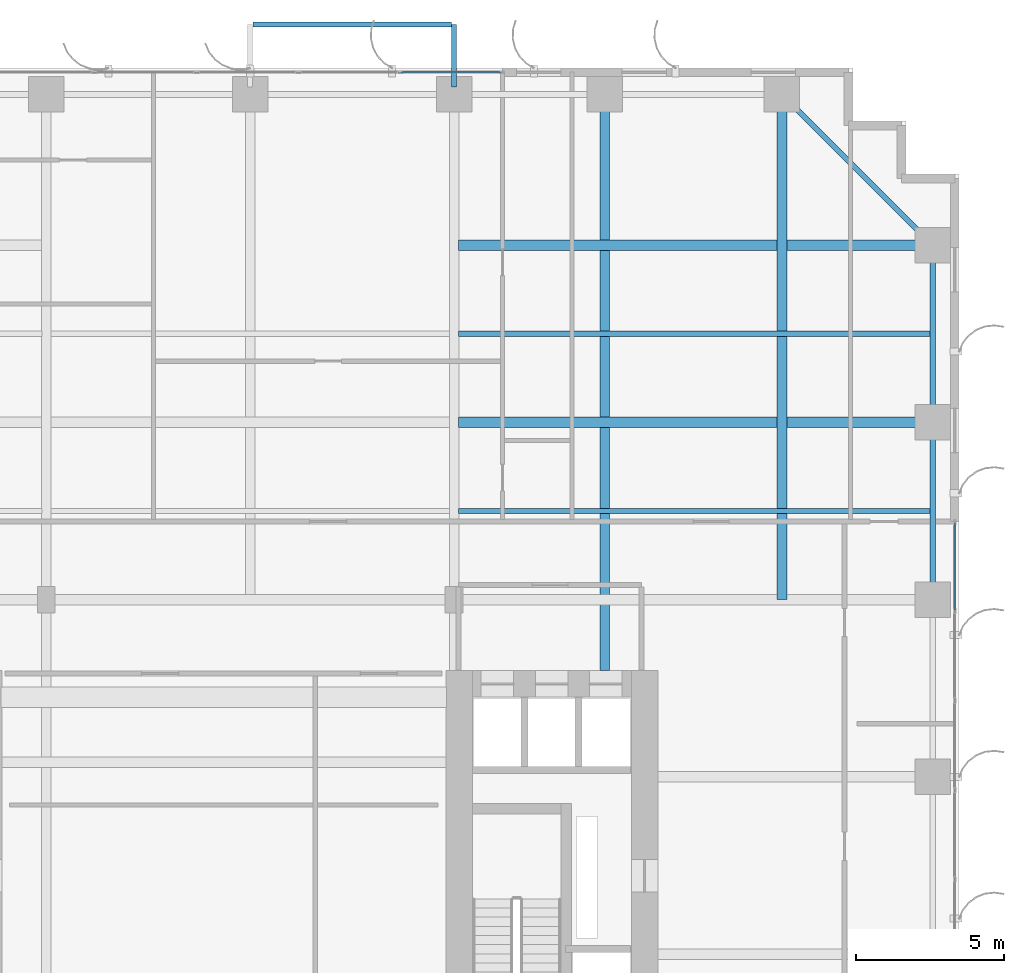
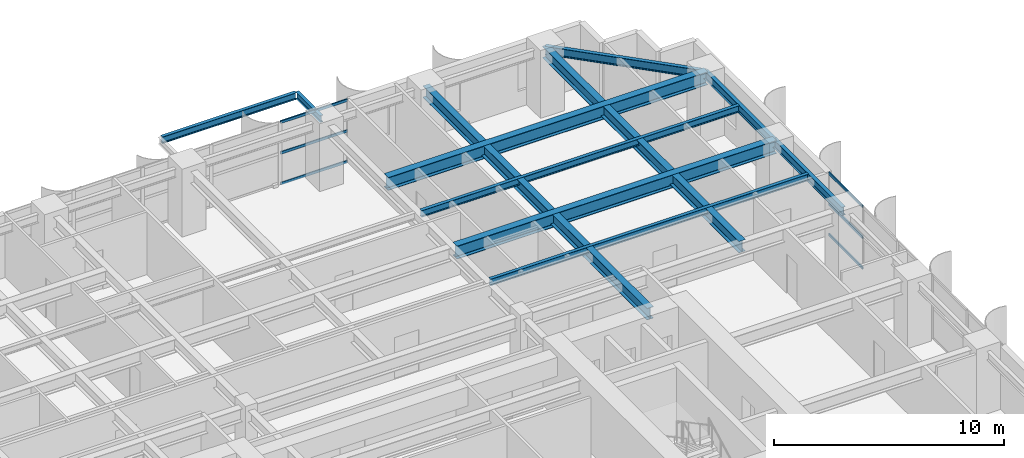
# One storey, part 13 of 25: 11 beams, 6 members, 2 elements without a shape of their own.
"""IFC4 building model written with IfcOpenShell, lengths in metres."""

from ifc_helpers import new_model, si_unit, direction, frame, origin, origin_2d, place, context, subcontext, project, spatial, hollow_rectangle, i_section, extrude, source, transform, mapped, material, layer, layer_set, material_profile, profile_set, type_object, element, aggregate, save


model = new_model("IFC4")

# Units and contexts
model_context = context("Model", 3, precision=1e-05, world=origin(), true_north=direction((0.0, 1.0)))
body_context = subcontext(model_context, "Body", "Model", "MODEL_VIEW")
ifc_project = project(units=[si_unit("LENGTHUNIT", "METRE"), si_unit("AREAUNIT", "SQUARE_METRE"), si_unit("VOLUMEUNIT", "CUBIC_METRE"), si_unit("PLANEANGLEUNIT", "RADIAN"), si_unit("MASSUNIT", "GRAM", prefix="KILO")], contexts=[model_context])

# Site, building, storey
site_placement = place(None, origin())
site = spatial("IfcSite", under=ifc_project, at=site_placement, CompositionType="ELEMENT")
building_placement = place(site_placement, origin())
building = spatial("IfcBuilding", under=site, at=building_placement, Name="Khoralis Quay Care Tower", CompositionType="ELEMENT")
storey_placement = place(building_placement, frame((0.0, 0.0, 65.699951171875)))
storey = spatial("IfcBuildingStorey", under=building, at=storey_placement, Name="L17", CompositionType="ELEMENT", Elevation=65.699951171875)

# Beams
ifc_material_1 = material(Name="Steel S355", Category="steel")
ifc_material_profile_1 = material_profile(ifc_material_1, i_section(OverallWidth=0.18994140625, OverallDepth=0.449951171875, WebThickness=0.009521484375, FlangeThickness=0.0146484375, FilletRadius=0.02099609375, at=origin_2d()), Name="Steel S355")
ifc_profile_set_1 = profile_set([ifc_material_profile_1], Name="Steel S355")
beam_type_1 = type_object("IfcBeamType", Name="BM-IPE450", PredefinedType="SPANDREL", material=ifc_profile_set_1)
shared_shape_1 = source(origin(), body_context, "Body", "SweptSolid", [
    extrude(i_section(OverallWidth=0.18994140625, OverallDepth=0.449951171875, WebThickness=0.009521484375, FlangeThickness=0.0146484375, FilletRadius=0.02099609375, at=origin_2d()), origin(), (0.0, 0.0, 1.0), 6.0),
])
for number, where, z_axis, x_axis, name in (
    (1, (47.10009765625, 30.0, 3.094970703125), (0.0, 1.0, 0.0), (-1.0, 0.0, 0.0), "BM-TSP-L17-23"),
    (2, (47.10009765625, 36.0, 3.094970703125), (0.0, 1.0, 0.0), (-1.0, 0.0, 0.0), "BM-TSP-L17-24"),
):
    element("IfcBeam", number, at=place(storey_placement, frame(where, z_axis=z_axis, x_axis=x_axis)), inside=storey, type_object=beam_type_1, Name=name, PredefinedType="SPANDREL", context=body_context, shape_type="MappedRepresentation", body=[
        mapped(shared_shape_1, transform((0.0, 0.0, 0.0), scale=1.0)),
    ])
shared_shape_2 = source(origin(), body_context, "Body", "SweptSolid", [
    extrude(i_section(OverallWidth=0.18994140625, OverallDepth=0.449951171875, WebThickness=0.009521484375, FlangeThickness=0.0146484375, FilletRadius=0.02099609375, at=origin_2d()), origin(), (0.0, 0.0, 1.0), 7.212646484375),
])
beam_1_placement = place(storey_placement, frame((42.0, 47.10009765625, 3.094970703125), z_axis=(0.707106781187, -0.707106781187, 0.0), x_axis=(0.707106781187, 0.707106781187, 0.0)))
element("IfcBeam", 3, at=beam_1_placement, inside=storey, type_object=beam_type_1, Name="BM-TCR-L17-28", PredefinedType="SPANDREL", context=body_context, shape_type="MappedRepresentation", body=[
    mapped(shared_shape_2, transform((0.0, 0.0, 0.0), scale=1.0)),
])
ifc_material_profile_2 = material_profile(ifc_material_1, i_section(OverallWidth=0.35498046875, OverallDepth=0.695068359375, WebThickness=0.015380859375, FlangeThickness=0.02490234375, FilletRadius=0.02001953125, at=origin_2d()), Name="Steel S355")
ifc_profile_set_2 = profile_set([ifc_material_profile_2], Name="Steel S355")
beam_type_2 = type_object("IfcBeamType", Name="BM-W690X217", PredefinedType="BEAM", material=ifc_profile_set_2)
shared_shape_3 = source(origin(), body_context, "Body", "SweptSolid", [
    extrude(i_section(OverallWidth=0.35498046875, OverallDepth=0.695068359375, WebThickness=0.015380859375, FlangeThickness=0.02490234375, FilletRadius=0.02001953125, at=origin_2d()), origin(), (0.0, 0.0, 1.0), 16.049560546875),
])
for number, where, z_axis, x_axis, name in (
    (4, (31.050537109375, 36.0, 2.97265625), (1.0, 0.0, 0.0), (0.0, 1.0, 0.0), "BM-TGXE-L17-360"),
    (5, (31.050537109375, 42.0, 2.97265625), (1.0, 0.0, 0.0), (0.0, 1.0, 0.0), "BM-TGXE-L17-420"),
):
    element("IfcBeam", number, at=place(storey_placement, frame(where, z_axis=z_axis, x_axis=x_axis)), inside=storey, type_object=beam_type_2, Name=name, PredefinedType="BEAM", context=body_context, shape_type="MappedRepresentation", body=[
        mapped(shared_shape_3, transform((0.0, 0.0, 0.0), scale=1.0)),
    ])
ifc_material_profile_3 = material_profile(ifc_material_1, i_section(OverallWidth=0.324951171875, OverallDepth=0.615966796875, WebThickness=0.013916015625, FlangeThickness=0.021484375, FilletRadius=0.01806640625, at=origin_2d()), Name="Steel S355")
ifc_profile_set_3 = profile_set([ifc_material_profile_3], Name="Steel S355")
beam_type_3 = type_object("IfcBeamType", Name="BM-W610X174", PredefinedType="BEAM", material=ifc_profile_set_3)
shared_shape_4 = source(origin(), body_context, "Body", "SweptSolid", [
    extrude(i_section(OverallWidth=0.324951171875, OverallDepth=0.615966796875, WebThickness=0.013916015625, FlangeThickness=0.021484375, FilletRadius=0.01806640625, at=origin_2d()), origin(), (0.0, 0.0, 1.0), 17.10009765625),
])
beam_2_placement = place(storey_placement, frame((42.0, 30.0, 3.011962890625), z_axis=(0.0, 1.0, 0.0), x_axis=(-1.0, 0.0, 0.0)))
element("IfcBeam", 6, at=beam_2_placement, inside=storey, type_object=beam_type_3, Name="BM-TGYN-L17-420", PredefinedType="BEAM", context=body_context, shape_type="MappedRepresentation", body=[
    mapped(shared_shape_4, transform((0.0, 0.0, 0.0), scale=1.0)),
])
shared_shape_5 = source(origin(), body_context, "Body", "SweptSolid", [
    extrude(i_section(OverallWidth=0.324951171875, OverallDepth=0.615966796875, WebThickness=0.013916015625, FlangeThickness=0.021484375, FilletRadius=0.01806640625, at=origin_2d()), origin(), (0.0, 0.0, 1.0), 19.502197265625),
])
beam_3_placement = place(storey_placement, frame((36.0, 27.597900390625, 3.011962890625), z_axis=(0.0, 1.0, 0.0), x_axis=(-1.0, 0.0, 0.0)))
element("IfcBeam", 7, at=beam_3_placement, inside=storey, type_object=beam_type_3, Name="BM-TGYN-L17-360", PredefinedType="BEAM", context=body_context, shape_type="MappedRepresentation", body=[
    mapped(shared_shape_5, transform((0.0, 0.0, 0.0), scale=1.0)),
])
ifc_material_profile_4 = material_profile(ifc_material_1, i_section(OverallWidth=0.1708984375, OverallDepth=0.35498046875, WebThickness=0.007080078125, FlangeThickness=0.01171875, FilletRadius=0.012939453125, at=origin_2d()), Name="Steel S355")
ifc_profile_set_4 = profile_set([ifc_material_profile_4], Name="Steel S355")
beam_type_4 = type_object("IfcBeamType", Name="BM-W360X51", PredefinedType="JOIST", material=ifc_profile_set_4)
shared_shape_6 = source(origin(), body_context, "Body", "SweptSolid", [
    extrude(i_section(OverallWidth=0.1708984375, OverallDepth=0.35498046875, WebThickness=0.007080078125, FlangeThickness=0.01171875, FilletRadius=0.012939453125, at=origin_2d()), origin(), (0.0, 0.0, 1.0), 15.968505859375),
])
for number, where, z_axis, x_axis, name in (
    (8, (31.050537109375, 33.0, 3.142578125), (1.0, 0.0, 0.0), (0.0, 1.0, 0.0), "BM-TJS-L17-33"),
    (9, (31.050537109375, 39.0, 3.142578125), (1.0, 0.0, 0.0), (0.0, 1.0, 0.0), "BM-TJS-L17-36"),
):
    element("IfcBeam", number, at=place(storey_placement, frame(where, z_axis=z_axis, x_axis=x_axis)), inside=storey, type_object=beam_type_4, Name=name, PredefinedType="JOIST", context=body_context, shape_type="MappedRepresentation", body=[
        mapped(shared_shape_6, transform((0.0, 0.0, 0.0), scale=1.0)),
    ])

# Curtain wall, members
ifc_material_2 = material(Name="Pale anodised aluminium", Category="aluminium")
ifc_layer = layer(ifc_material_2, 0.179931640625)
ifc_layer_set = layer_set([ifc_layer], Name="Pale anodised aluminium")
curtain_wall_type = type_object("IfcCurtainWallType", Name="CW-SYS-Z1", PredefinedType="NOTDEFINED", material=ifc_layer_set)
curtain_wall_1_placement = place(storey_placement, origin())
curtain_wall_1 = element("IfcCurtainWall", 10, at=curtain_wall_1_placement, inside=storey, type_object=curtain_wall_type, Name="L17 Unitised Curtain Wall CW-L17-P1-E5", PredefinedType="NOTDEFINED")
ifc_material_profile_5 = material_profile(ifc_material_2, hollow_rectangle(XDim=0.06005859375, YDim=0.139892578125, WallThickness=0.00390625, at=origin_2d()), Name="Pale anodised aluminium")
ifc_profile_set_5 = profile_set([ifc_material_profile_5], Name="Pale anodised aluminium")
member_type = type_object("IfcMemberType", Name="CW-TRN-140", PredefinedType="USERDEFINED", material=ifc_profile_set_5)
shared_shape_7 = source(origin(), body_context, "Body", "SweptSolid", [
    extrude(hollow_rectangle(XDim=0.06005859375, YDim=0.139892578125, WallThickness=0.00390625, at=origin_2d()), origin(), (0.0, 0.0, 1.0), 2.93798828125),
])
member_1_placement = place(storey_placement, frame((47.85009765625, 29.64208984375, 0.030029296875), z_axis=(0.0, 1.0, 0.0), x_axis=(-1.0, 0.0, 0.0)))
member_1 = element("IfcMember", 11, at=member_1_placement, type_object=member_type, Name="CW1 transom 5.1", ObjectType="TRANSOM", PredefinedType="USERDEFINED", context=body_context, shape_type="MappedRepresentation", body=[
    mapped(shared_shape_7, transform((0.0, 0.0, 0.0), scale=1.0)),
])
member_2_placement = place(storey_placement, frame((47.85009765625, 29.64208984375, 1.66015625), z_axis=(0.0, 1.0, 0.0), x_axis=(-1.0, 0.0, 0.0)))
member_2 = element("IfcMember", 12, at=member_2_placement, type_object=member_type, Name="CW1 transom 5.2", ObjectType="TRANSOM", PredefinedType="USERDEFINED", context=body_context, shape_type="MappedRepresentation", body=[
    mapped(shared_shape_7, transform((0.0, 0.0, 0.0), scale=1.0)),
])
member_3_placement = place(storey_placement, frame((47.85009765625, 29.64208984375, 3.2900390625), z_axis=(0.0, 1.0, 0.0), x_axis=(-1.0, 0.0, 0.0)))
member_3 = element("IfcMember", 13, at=member_3_placement, type_object=member_type, Name="CW1 transom 5.3", ObjectType="TRANSOM", PredefinedType="USERDEFINED", context=body_context, shape_type="MappedRepresentation", body=[
    mapped(shared_shape_7, transform((0.0, 0.0, 0.0), scale=1.0)),
])
aggregate(curtain_wall_1, [member_1, member_2, member_3])

# Beams
ifc_material_profile_6 = material_profile(ifc_material_1, i_section(OverallWidth=0.169921875, OverallDepth=0.360107421875, WebThickness=0.008056640625, FlangeThickness=0.0126953125, FilletRadius=0.01806640625, at=origin_2d()), Name="Steel S355")
ifc_profile_set_6 = profile_set([ifc_material_profile_6], Name="Steel S355")
beam_type_5 = type_object("IfcBeamType", Name="BM-IPE360", PredefinedType="SPANDREL", material=ifc_profile_set_6)
shared_shape_8 = source(origin(), body_context, "Body", "SweptSolid", [
    extrude(i_section(OverallWidth=0.169921875, OverallDepth=0.360107421875, WebThickness=0.008056640625, FlangeThickness=0.0126953125, FilletRadius=0.01806640625, at=origin_2d()), origin(), (0.0, 0.0, 1.0), 2.119873046875),
])
beam_4_placement = place(storey_placement, frame((30.89990234375, 47.35009765625, 3.14404296875), z_axis=(0.0, 1.0, 0.0), x_axis=(-1.0, 0.0, 0.0)))
element("IfcBeam", 14, at=beam_4_placement, inside=storey, type_object=beam_type_5, Name="L18 Balcony Cantilever Outrigger Beam 2", PredefinedType="SPANDREL", context=body_context, shape_type="MappedRepresentation", body=[
    mapped(shared_shape_8, transform((0.0, 0.0, 0.0), scale=1.0)),
])
shared_shape_9 = source(origin(), body_context, "Body", "SweptSolid", [
    extrude(i_section(OverallWidth=0.169921875, OverallDepth=0.360107421875, WebThickness=0.008056640625, FlangeThickness=0.0126953125, FilletRadius=0.01806640625, at=origin_2d()), origin(), (0.0, 0.0, 1.0), 6.72412109375),
])
beam_5_placement = place(storey_placement, frame((24.087890625, 49.469970703125, 3.14404296875), z_axis=(1.0, 0.0, 0.0), x_axis=(0.0, 1.0, 0.0)))
element("IfcBeam", 15, at=beam_5_placement, inside=storey, type_object=beam_type_5, Name="L18 Balcony Edge Spandrel Beam P1E10", PredefinedType="SPANDREL", context=body_context, shape_type="MappedRepresentation", body=[
    mapped(shared_shape_9, transform((0.0, 0.0, 0.0), scale=1.0)),
])

# Curtain wall, members
curtain_wall_2_placement = place(storey_placement, origin())
curtain_wall_2 = element("IfcCurtainWall", 16, at=curtain_wall_2_placement, inside=storey, type_object=curtain_wall_type, Name="L17 Unitised Curtain Wall CW-L17-P1-E10", PredefinedType="NOTDEFINED")
shared_shape_10 = source(origin(), body_context, "Body", "SweptSolid", [
    extrude(hollow_rectangle(XDim=0.06005859375, YDim=0.139892578125, WallThickness=0.00390625, at=origin_2d()), origin(), (0.0, 0.0, 1.0), 3.36328125),
])
member_4_placement = place(storey_placement, frame((32.47998046875, 47.85009765625, 0.030029296875), z_axis=(-1.0, 0.0, 0.0), x_axis=(0.0, -1.0, 0.0)))
member_4 = element("IfcMember", 17, at=member_4_placement, type_object=member_type, Name="CW1 transom 1.1", ObjectType="TRANSOM", PredefinedType="USERDEFINED", context=body_context, shape_type="MappedRepresentation", body=[
    mapped(shared_shape_10, transform((0.0, 0.0, 0.0), scale=1.0)),
])
member_5_placement = place(storey_placement, frame((32.47998046875, 47.85009765625, 1.66015625), z_axis=(-1.0, 0.0, 0.0), x_axis=(0.0, -1.0, 0.0)))
member_5 = element("IfcMember", 18, at=member_5_placement, type_object=member_type, Name="CW1 transom 1.2", ObjectType="TRANSOM", PredefinedType="USERDEFINED", context=body_context, shape_type="MappedRepresentation", body=[
    mapped(shared_shape_10, transform((0.0, 0.0, 0.0), scale=1.0)),
])
member_6_placement = place(storey_placement, frame((32.47998046875, 47.85009765625, 3.2900390625), z_axis=(-1.0, 0.0, 0.0), x_axis=(0.0, -1.0, 0.0)))
member_6 = element("IfcMember", 19, at=member_6_placement, type_object=member_type, Name="CW1 transom 1.3", ObjectType="TRANSOM", PredefinedType="USERDEFINED", context=body_context, shape_type="MappedRepresentation", body=[
    mapped(shared_shape_10, transform((0.0, 0.0, 0.0), scale=1.0)),
])
aggregate(curtain_wall_2, [member_4, member_5, member_6])

save(model, "model.ifc")
